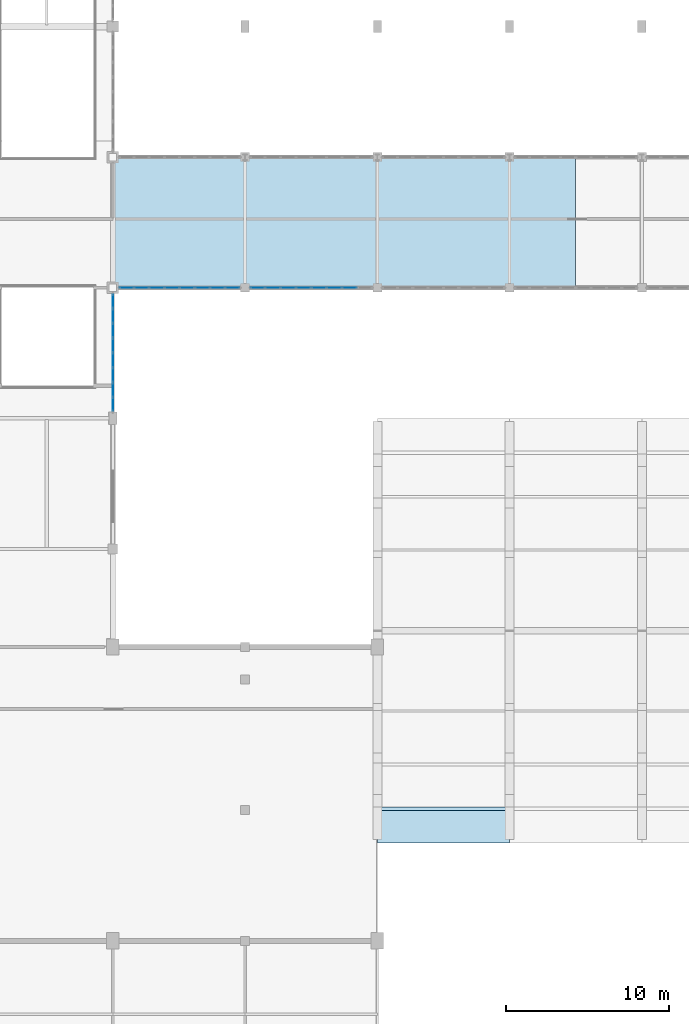
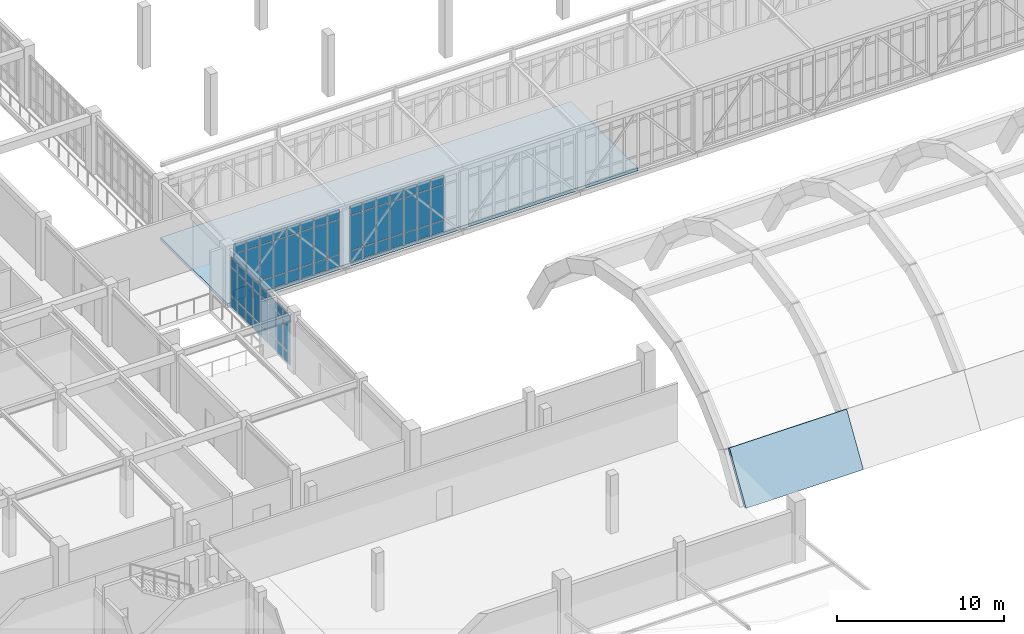
# One storey, part 35 of 67: 69 plates, 2 slabs, 3 elements without a shape of their own.
"""IFC4 building model written with IfcOpenShell, lengths in metres."""

from ifc_helpers import new_model, si_unit, direction, frame, origin, origin_2d, place, context, subcontext, project, spatial, polyline, rectangle, outline, extrude, material, layer, layer_set, type_object, element, aggregate, save


model = new_model("IFC4")

# Units and contexts
model_context = context("Model", 3, precision=1e-05, world=origin(), true_north=direction((0.0, 1.0)))
body_context = subcontext(model_context, "Body", "Model", "MODEL_VIEW")
ifc_project = project(units=[si_unit("LENGTHUNIT", "METRE"), si_unit("AREAUNIT", "SQUARE_METRE"), si_unit("VOLUMEUNIT", "CUBIC_METRE"), si_unit("PLANEANGLEUNIT", "RADIAN"), si_unit("MASSUNIT", "GRAM", prefix="KILO")], contexts=[model_context])

# Site, building, storey
site_placement = place(None, origin())
site = spatial("IfcSite", under=ifc_project, at=site_placement, CompositionType="ELEMENT")
building_placement = place(site_placement, origin())
building = spatial("IfcBuilding", under=site, at=building_placement, Name="Tarnveldt Square Police Headquarters", CompositionType="ELEMENT")
storey_placement = place(building_placement, frame((0.0, 0.0, 10.199951171875)))
storey = spatial("IfcBuildingStorey", under=building, at=storey_placement, Name="L02", CompositionType="ELEMENT", Elevation=10.199951171875)

# Curtain wall, plates
ifc_material_1 = material(Name="Triple-glazed low-e laminated vision glass", Category="glass")
curtain_wall_type_1 = type_object("IfcCurtainWallType", Name="CW-WG-724x377", PredefinedType="USERDEFINED", material=ifc_material_1)
curtain_wall_1_placement = place(storey_placement, origin())
curtain_wall_1 = element("IfcCurtainWall", 1, at=curtain_wall_1_placement, inside=storey, type_object=curtain_wall_type_1, Name="L02 Curtain Wall CW-L02-073", ObjectType="GLAZED CURTAIN WALL", PredefinedType="USERDEFINED")
ifc_layer_1 = layer(ifc_material_1, 0.028076171875)
ifc_layer_set_1 = layer_set([ifc_layer_1], Name="Triple-glazed low-e laminated vision glass")
plate_type = type_object("IfcPlateType", Name="CWP-VIS-28", PredefinedType="CURTAIN_PANEL", material=ifc_layer_set_1)
plate_1_placement = place(storey_placement, frame((48.60009765625, 48.861572265625, 0.074951171875), z_axis=(0.0, 0.0, 1.0), x_axis=(0.0, 1.0, 0.0)))
plate_1 = element("IfcPlate", 2, at=plate_1_placement, type_object=plate_type, Name="CW-WG33 panel 1.1", PredefinedType="CURTAIN_PANEL", context=body_context, shape_type="SweptSolid", body=[
    extrude(rectangle(XDim=0.793212890625, YDim=0.028076171875, at=origin_2d()), origin(), (0.0, 0.0, 1.0), 0.78759765625),
])
plate_2_placement = place(storey_placement, frame((48.60009765625, 48.861572265625, 0.9375), z_axis=(0.0, 0.0, 1.0), x_axis=(0.0, 1.0, 0.0)))
plate_2 = element("IfcPlate", 3, at=plate_2_placement, type_object=plate_type, Name="CW-WG33 panel 1.2", PredefinedType="CURTAIN_PANEL", context=body_context, shape_type="SweptSolid", body=[
    extrude(rectangle(XDim=0.793212890625, YDim=0.028076171875, at=origin_2d()), origin(), (0.0, 0.0, 1.0), 2.0439453125),
])
plate_3_placement = place(storey_placement, frame((48.60009765625, 48.861572265625, 3.056640625), z_axis=(0.0, 0.0, 1.0), x_axis=(0.0, 1.0, 0.0)))
plate_3 = element("IfcPlate", 4, at=plate_3_placement, type_object=plate_type, Name="CW-WG33 panel 1.3", PredefinedType="CURTAIN_PANEL", context=body_context, shape_type="SweptSolid", body=[
    extrude(rectangle(XDim=0.793212890625, YDim=0.028076171875, at=origin_2d()), origin(), (0.0, 0.0, 1.0), 0.637451171875),
])
plate_4_placement = place(storey_placement, frame((48.60009765625, 49.74853515625, 0.074951171875), z_axis=(0.0, 0.0, 1.0), x_axis=(0.0, 1.0, 0.0)))
plate_4 = element("IfcPlate", 5, at=plate_4_placement, type_object=plate_type, Name="CW-WG33 panel 2.1", PredefinedType="CURTAIN_PANEL", context=body_context, shape_type="SweptSolid", body=[
    extrude(rectangle(XDim=0.83056640625, YDim=0.028076171875, at=origin_2d()), origin(), (0.0, 0.0, 1.0), 0.78759765625),
])
plate_5_placement = place(storey_placement, frame((48.60009765625, 49.74853515625, 0.9375), z_axis=(0.0, 0.0, 1.0), x_axis=(0.0, 1.0, 0.0)))
plate_5 = element("IfcPlate", 6, at=plate_5_placement, type_object=plate_type, Name="CW-WG33 panel 2.2", PredefinedType="CURTAIN_PANEL", context=body_context, shape_type="SweptSolid", body=[
    extrude(rectangle(XDim=0.83056640625, YDim=0.028076171875, at=origin_2d()), origin(), (0.0, 0.0, 1.0), 2.0439453125),
])
plate_6_placement = place(storey_placement, frame((48.60009765625, 49.74853515625, 3.056640625), z_axis=(0.0, 0.0, 1.0), x_axis=(0.0, 1.0, 0.0)))
plate_6 = element("IfcPlate", 7, at=plate_6_placement, type_object=plate_type, Name="CW-WG33 panel 2.3", PredefinedType="CURTAIN_PANEL", context=body_context, shape_type="SweptSolid", body=[
    extrude(rectangle(XDim=0.83056640625, YDim=0.028076171875, at=origin_2d()), origin(), (0.0, 0.0, 1.0), 0.637451171875),
])
plate_7_placement = place(storey_placement, frame((48.60009765625, 50.654052734375, 0.074951171875), z_axis=(0.0, 0.0, 1.0), x_axis=(0.0, 1.0, 0.0)))
plate_7 = element("IfcPlate", 8, at=plate_7_placement, type_object=plate_type, Name="CW-WG33 panel 3.1", PredefinedType="CURTAIN_PANEL", context=body_context, shape_type="SweptSolid", body=[
    extrude(rectangle(XDim=0.83056640625, YDim=0.028076171875, at=origin_2d()), origin(), (0.0, 0.0, 1.0), 0.78759765625),
])
plate_8_placement = place(storey_placement, frame((48.60009765625, 50.654052734375, 0.9375), z_axis=(0.0, 0.0, 1.0), x_axis=(0.0, 1.0, 0.0)))
plate_8 = element("IfcPlate", 9, at=plate_8_placement, type_object=plate_type, Name="CW-WG33 panel 3.2", PredefinedType="CURTAIN_PANEL", context=body_context, shape_type="SweptSolid", body=[
    extrude(rectangle(XDim=0.83056640625, YDim=0.028076171875, at=origin_2d()), origin(), (0.0, 0.0, 1.0), 2.0439453125),
])
plate_9_placement = place(storey_placement, frame((48.60009765625, 50.654052734375, 3.056640625), z_axis=(0.0, 0.0, 1.0), x_axis=(0.0, 1.0, 0.0)))
plate_9 = element("IfcPlate", 10, at=plate_9_placement, type_object=plate_type, Name="CW-WG33 panel 3.3", PredefinedType="CURTAIN_PANEL", context=body_context, shape_type="SweptSolid", body=[
    extrude(rectangle(XDim=0.83056640625, YDim=0.028076171875, at=origin_2d()), origin(), (0.0, 0.0, 1.0), 0.637451171875),
])
plate_10_placement = place(storey_placement, frame((48.60009765625, 51.5595703125, 0.074951171875), z_axis=(0.0, 0.0, 1.0), x_axis=(0.0, 1.0, 0.0)))
plate_10 = element("IfcPlate", 11, at=plate_10_placement, type_object=plate_type, Name="CW-WG33 panel 4.1", PredefinedType="CURTAIN_PANEL", context=body_context, shape_type="SweptSolid", body=[
    extrude(rectangle(XDim=0.83056640625, YDim=0.028076171875, at=origin_2d()), origin(), (0.0, 0.0, 1.0), 0.78759765625),
])
plate_11_placement = place(storey_placement, frame((48.60009765625, 51.5595703125, 0.9375), z_axis=(0.0, 0.0, 1.0), x_axis=(0.0, 1.0, 0.0)))
plate_11 = element("IfcPlate", 12, at=plate_11_placement, type_object=plate_type, Name="CW-WG33 panel 4.2", PredefinedType="CURTAIN_PANEL", context=body_context, shape_type="SweptSolid", body=[
    extrude(rectangle(XDim=0.83056640625, YDim=0.028076171875, at=origin_2d()), origin(), (0.0, 0.0, 1.0), 2.0439453125),
])
plate_12_placement = place(storey_placement, frame((48.60009765625, 51.5595703125, 3.056640625), z_axis=(0.0, 0.0, 1.0), x_axis=(0.0, 1.0, 0.0)))
plate_12 = element("IfcPlate", 13, at=plate_12_placement, type_object=plate_type, Name="CW-WG33 panel 4.3", PredefinedType="CURTAIN_PANEL", context=body_context, shape_type="SweptSolid", body=[
    extrude(rectangle(XDim=0.83056640625, YDim=0.028076171875, at=origin_2d()), origin(), (0.0, 0.0, 1.0), 0.637451171875),
])
plate_13_placement = place(storey_placement, frame((48.60009765625, 52.46533203125, 0.074951171875), z_axis=(0.0, 0.0, 1.0), x_axis=(0.0, 1.0, 0.0)))
plate_13 = element("IfcPlate", 14, at=plate_13_placement, type_object=plate_type, Name="CW-WG33 panel 5.1", PredefinedType="CURTAIN_PANEL", context=body_context, shape_type="SweptSolid", body=[
    extrude(rectangle(XDim=0.83056640625, YDim=0.028076171875, at=origin_2d()), origin(), (0.0, 0.0, 1.0), 0.78759765625),
])
plate_14_placement = place(storey_placement, frame((48.60009765625, 52.46533203125, 0.9375), z_axis=(0.0, 0.0, 1.0), x_axis=(0.0, 1.0, 0.0)))
plate_14 = element("IfcPlate", 15, at=plate_14_placement, type_object=plate_type, Name="CW-WG33 panel 5.2", PredefinedType="CURTAIN_PANEL", context=body_context, shape_type="SweptSolid", body=[
    extrude(rectangle(XDim=0.83056640625, YDim=0.028076171875, at=origin_2d()), origin(), (0.0, 0.0, 1.0), 2.0439453125),
])
plate_15_placement = place(storey_placement, frame((48.60009765625, 52.46533203125, 3.056640625), z_axis=(0.0, 0.0, 1.0), x_axis=(0.0, 1.0, 0.0)))
plate_15 = element("IfcPlate", 16, at=plate_15_placement, type_object=plate_type, Name="CW-WG33 panel 5.3", PredefinedType="CURTAIN_PANEL", context=body_context, shape_type="SweptSolid", body=[
    extrude(rectangle(XDim=0.83056640625, YDim=0.028076171875, at=origin_2d()), origin(), (0.0, 0.0, 1.0), 0.637451171875),
])
plate_16_placement = place(storey_placement, frame((48.60009765625, 53.370849609375, 0.074951171875), z_axis=(0.0, 0.0, 1.0), x_axis=(0.0, 1.0, 0.0)))
plate_16 = element("IfcPlate", 17, at=plate_16_placement, type_object=plate_type, Name="CW-WG33 panel 6.1", PredefinedType="CURTAIN_PANEL", context=body_context, shape_type="SweptSolid", body=[
    extrude(rectangle(XDim=0.83056640625, YDim=0.028076171875, at=origin_2d()), origin(), (0.0, 0.0, 1.0), 0.78759765625),
])
plate_17_placement = place(storey_placement, frame((48.60009765625, 53.370849609375, 0.9375), z_axis=(0.0, 0.0, 1.0), x_axis=(0.0, 1.0, 0.0)))
plate_17 = element("IfcPlate", 18, at=plate_17_placement, type_object=plate_type, Name="CW-WG33 panel 6.2", PredefinedType="CURTAIN_PANEL", context=body_context, shape_type="SweptSolid", body=[
    extrude(rectangle(XDim=0.83056640625, YDim=0.028076171875, at=origin_2d()), origin(), (0.0, 0.0, 1.0), 2.0439453125),
])
plate_18_placement = place(storey_placement, frame((48.60009765625, 53.370849609375, 3.056640625), z_axis=(0.0, 0.0, 1.0), x_axis=(0.0, 1.0, 0.0)))
plate_18 = element("IfcPlate", 19, at=plate_18_placement, type_object=plate_type, Name="CW-WG33 panel 6.3", PredefinedType="CURTAIN_PANEL", context=body_context, shape_type="SweptSolid", body=[
    extrude(rectangle(XDim=0.83056640625, YDim=0.028076171875, at=origin_2d()), origin(), (0.0, 0.0, 1.0), 0.637451171875),
])
plate_19_placement = place(storey_placement, frame((48.60009765625, 54.276611328125, 0.074951171875), z_axis=(0.0, 0.0, 1.0), x_axis=(0.0, 1.0, 0.0)))
plate_19 = element("IfcPlate", 20, at=plate_19_placement, type_object=plate_type, Name="CW-WG33 panel 7.1", PredefinedType="CURTAIN_PANEL", context=body_context, shape_type="SweptSolid", body=[
    extrude(rectangle(XDim=0.83056640625, YDim=0.028076171875, at=origin_2d()), origin(), (0.0, 0.0, 1.0), 0.78759765625),
])
plate_20_placement = place(storey_placement, frame((48.60009765625, 54.276611328125, 0.9375), z_axis=(0.0, 0.0, 1.0), x_axis=(0.0, 1.0, 0.0)))
plate_20 = element("IfcPlate", 21, at=plate_20_placement, type_object=plate_type, Name="CW-WG33 panel 7.2", PredefinedType="CURTAIN_PANEL", context=body_context, shape_type="SweptSolid", body=[
    extrude(rectangle(XDim=0.83056640625, YDim=0.028076171875, at=origin_2d()), origin(), (0.0, 0.0, 1.0), 2.0439453125),
])
plate_21_placement = place(storey_placement, frame((48.60009765625, 54.276611328125, 3.056640625), z_axis=(0.0, 0.0, 1.0), x_axis=(0.0, 1.0, 0.0)))
plate_21 = element("IfcPlate", 22, at=plate_21_placement, type_object=plate_type, Name="CW-WG33 panel 7.3", PredefinedType="CURTAIN_PANEL", context=body_context, shape_type="SweptSolid", body=[
    extrude(rectangle(XDim=0.83056640625, YDim=0.028076171875, at=origin_2d()), origin(), (0.0, 0.0, 1.0), 0.637451171875),
])
plate_22_placement = place(storey_placement, frame((48.60009765625, 55.163330078125, 0.074951171875), z_axis=(0.0, 0.0, 1.0), x_axis=(0.0, 1.0, 0.0)))
plate_22 = element("IfcPlate", 23, at=plate_22_placement, type_object=plate_type, Name="CW-WG33 panel 8.1", PredefinedType="CURTAIN_PANEL", context=body_context, shape_type="SweptSolid", body=[
    extrude(rectangle(XDim=0.793212890625, YDim=0.028076171875, at=origin_2d()), origin(), (0.0, 0.0, 1.0), 0.78759765625),
])
plate_23_placement = place(storey_placement, frame((48.60009765625, 55.163330078125, 0.9375), z_axis=(0.0, 0.0, 1.0), x_axis=(0.0, 1.0, 0.0)))
plate_23 = element("IfcPlate", 24, at=plate_23_placement, type_object=plate_type, Name="CW-WG33 panel 8.2", PredefinedType="CURTAIN_PANEL", context=body_context, shape_type="SweptSolid", body=[
    extrude(rectangle(XDim=0.793212890625, YDim=0.028076171875, at=origin_2d()), origin(), (0.0, 0.0, 1.0), 2.0439453125),
])
plate_24_placement = place(storey_placement, frame((48.60009765625, 55.163330078125, 3.056640625), z_axis=(0.0, 0.0, 1.0), x_axis=(0.0, 1.0, 0.0)))
plate_24 = element("IfcPlate", 25, at=plate_24_placement, type_object=plate_type, Name="CW-WG33 panel 8.3", PredefinedType="CURTAIN_PANEL", context=body_context, shape_type="SweptSolid", body=[
    extrude(rectangle(XDim=0.793212890625, YDim=0.028076171875, at=origin_2d()), origin(), (0.0, 0.0, 1.0), 0.637451171875),
])
aggregate(curtain_wall_1, [plate_1, plate_2, plate_3, plate_4, plate_5, plate_6, plate_7, plate_8, plate_9, plate_10, plate_11, plate_12, plate_13, plate_14, plate_15, plate_16, plate_17, plate_18, plate_19, plate_20, plate_21, plate_22, plate_23, plate_24])

curtain_wall_type_2 = type_object("IfcCurtainWallType", Name="CW-SB-744x424", PredefinedType="USERDEFINED", material=ifc_material_1)
curtain_wall_2_placement = place(storey_placement, origin())
curtain_wall_2 = element("IfcCurtainWall", 26, at=curtain_wall_2_placement, inside=storey, type_object=curtain_wall_type_2, Name="L02 Curtain Wall CW-L02-138", ObjectType="GLAZED CURTAIN WALL", PredefinedType="USERDEFINED")
plate_25_placement = place(storey_placement, frame((49.446533203125, 56.0, 0.06494140625), z_axis=(0.0, 0.0, 1.0), x_axis=(1.0, 0.0, 0.0)))
plate_25 = element("IfcPlate", 27, at=plate_25_placement, type_object=plate_type, Name="CW-SB85 panel 1.1", PredefinedType="CURTAIN_PANEL", context=body_context, shape_type="SweptSolid", body=[
    extrude(rectangle(XDim=0.8330078125, YDim=0.028076171875, at=origin_2d()), origin(), (0.0, 0.0, 1.0), 0.802490234375),
])
plate_26_placement = place(storey_placement, frame((49.446533203125, 56.0, 0.9326171875), z_axis=(0.0, 0.0, 1.0), x_axis=(1.0, 0.0, 0.0)))
plate_26 = element("IfcPlate", 28, at=plate_26_placement, type_object=plate_type, Name="CW-SB85 panel 1.2", PredefinedType="CURTAIN_PANEL", context=body_context, shape_type="SweptSolid", body=[
    extrude(rectangle(XDim=0.8330078125, YDim=0.028076171875, at=origin_2d()), origin(), (0.0, 0.0, 1.0), 2.52490234375),
])
plate_27_placement = place(storey_placement, frame((49.446533203125, 56.0, 3.5224609375), z_axis=(0.0, 0.0, 1.0), x_axis=(1.0, 0.0, 0.0)))
plate_27 = element("IfcPlate", 29, at=plate_27_placement, type_object=plate_type, Name="CW-SB85 panel 1.3", PredefinedType="CURTAIN_PANEL", context=body_context, shape_type="SweptSolid", body=[
    extrude(rectangle(XDim=0.8330078125, YDim=0.028076171875, at=origin_2d()), origin(), (0.0, 0.0, 1.0), 0.652587890625),
])
plate_28_placement = place(storey_placement, frame((50.36083984375, 56.0, 0.06494140625), z_axis=(0.0, 0.0, 1.0), x_axis=(1.0, 0.0, 0.0)))
plate_28 = element("IfcPlate", 30, at=plate_28_placement, type_object=plate_type, Name="CW-SB85 panel 2.1", PredefinedType="CURTAIN_PANEL", context=body_context, shape_type="SweptSolid", body=[
    extrude(rectangle(XDim=0.86572265625, YDim=0.028076171875, at=origin_2d()), origin(), (0.0, 0.0, 1.0), 0.802490234375),
])
plate_29_placement = place(storey_placement, frame((50.36083984375, 56.0, 0.9326171875), z_axis=(0.0, 0.0, 1.0), x_axis=(1.0, 0.0, 0.0)))
plate_29 = element("IfcPlate", 31, at=plate_29_placement, type_object=plate_type, Name="CW-SB85 panel 2.2", PredefinedType="CURTAIN_PANEL", context=body_context, shape_type="SweptSolid", body=[
    extrude(rectangle(XDim=0.86572265625, YDim=0.028076171875, at=origin_2d()), origin(), (0.0, 0.0, 1.0), 2.52490234375),
])
plate_30_placement = place(storey_placement, frame((50.36083984375, 56.0, 3.5224609375), z_axis=(0.0, 0.0, 1.0), x_axis=(1.0, 0.0, 0.0)))
plate_30 = element("IfcPlate", 32, at=plate_30_placement, type_object=plate_type, Name="CW-SB85 panel 2.3", PredefinedType="CURTAIN_PANEL", context=body_context, shape_type="SweptSolid", body=[
    extrude(rectangle(XDim=0.86572265625, YDim=0.028076171875, at=origin_2d()), origin(), (0.0, 0.0, 1.0), 0.652587890625),
])
plate_31_placement = place(storey_placement, frame((51.29150390625, 56.0, 0.06494140625), z_axis=(0.0, 0.0, 1.0), x_axis=(1.0, 0.0, 0.0)))
plate_31 = element("IfcPlate", 33, at=plate_31_placement, type_object=plate_type, Name="CW-SB85 panel 3.1", PredefinedType="CURTAIN_PANEL", context=body_context, shape_type="SweptSolid", body=[
    extrude(rectangle(XDim=0.86572265625, YDim=0.028076171875, at=origin_2d()), origin(), (0.0, 0.0, 1.0), 0.802490234375),
])
plate_32_placement = place(storey_placement, frame((51.29150390625, 56.0, 0.9326171875), z_axis=(0.0, 0.0, 1.0), x_axis=(1.0, 0.0, 0.0)))
plate_32 = element("IfcPlate", 34, at=plate_32_placement, type_object=plate_type, Name="CW-SB85 panel 3.2", PredefinedType="CURTAIN_PANEL", context=body_context, shape_type="SweptSolid", body=[
    extrude(rectangle(XDim=0.86572265625, YDim=0.028076171875, at=origin_2d()), origin(), (0.0, 0.0, 1.0), 2.52490234375),
])
plate_33_placement = place(storey_placement, frame((51.29150390625, 56.0, 3.5224609375), z_axis=(0.0, 0.0, 1.0), x_axis=(1.0, 0.0, 0.0)))
plate_33 = element("IfcPlate", 35, at=plate_33_placement, type_object=plate_type, Name="CW-SB85 panel 3.3", PredefinedType="CURTAIN_PANEL", context=body_context, shape_type="SweptSolid", body=[
    extrude(rectangle(XDim=0.86572265625, YDim=0.028076171875, at=origin_2d()), origin(), (0.0, 0.0, 1.0), 0.652587890625),
])
plate_34_placement = place(storey_placement, frame((52.22216796875, 56.0, 0.06494140625), z_axis=(0.0, 0.0, 1.0), x_axis=(1.0, 0.0, 0.0)))
plate_34 = element("IfcPlate", 36, at=plate_34_placement, type_object=plate_type, Name="CW-SB85 panel 4.1", PredefinedType="CURTAIN_PANEL", context=body_context, shape_type="SweptSolid", body=[
    extrude(rectangle(XDim=0.86572265625, YDim=0.028076171875, at=origin_2d()), origin(), (0.0, 0.0, 1.0), 0.802490234375),
])
plate_35_placement = place(storey_placement, frame((52.22216796875, 56.0, 0.9326171875), z_axis=(0.0, 0.0, 1.0), x_axis=(1.0, 0.0, 0.0)))
plate_35 = element("IfcPlate", 37, at=plate_35_placement, type_object=plate_type, Name="CW-SB85 panel 4.2", PredefinedType="CURTAIN_PANEL", context=body_context, shape_type="SweptSolid", body=[
    extrude(rectangle(XDim=0.86572265625, YDim=0.028076171875, at=origin_2d()), origin(), (0.0, 0.0, 1.0), 2.52490234375),
])
plate_36_placement = place(storey_placement, frame((52.22216796875, 56.0, 3.5224609375), z_axis=(0.0, 0.0, 1.0), x_axis=(1.0, 0.0, 0.0)))
plate_36 = element("IfcPlate", 38, at=plate_36_placement, type_object=plate_type, Name="CW-SB85 panel 4.3", PredefinedType="CURTAIN_PANEL", context=body_context, shape_type="SweptSolid", body=[
    extrude(rectangle(XDim=0.86572265625, YDim=0.028076171875, at=origin_2d()), origin(), (0.0, 0.0, 1.0), 0.652587890625),
])
plate_37_placement = place(storey_placement, frame((53.15283203125, 56.0, 0.06494140625), z_axis=(0.0, 0.0, 1.0), x_axis=(1.0, 0.0, 0.0)))
plate_37 = element("IfcPlate", 39, at=plate_37_placement, type_object=plate_type, Name="CW-SB85 panel 5.1", PredefinedType="CURTAIN_PANEL", context=body_context, shape_type="SweptSolid", body=[
    extrude(rectangle(XDim=0.86572265625, YDim=0.028076171875, at=origin_2d()), origin(), (0.0, 0.0, 1.0), 0.802490234375),
])
plate_38_placement = place(storey_placement, frame((53.15283203125, 56.0, 0.9326171875), z_axis=(0.0, 0.0, 1.0), x_axis=(1.0, 0.0, 0.0)))
plate_38 = element("IfcPlate", 40, at=plate_38_placement, type_object=plate_type, Name="CW-SB85 panel 5.2", PredefinedType="CURTAIN_PANEL", context=body_context, shape_type="SweptSolid", body=[
    extrude(rectangle(XDim=0.86572265625, YDim=0.028076171875, at=origin_2d()), origin(), (0.0, 0.0, 1.0), 2.52490234375),
])
plate_39_placement = place(storey_placement, frame((53.15283203125, 56.0, 3.5224609375), z_axis=(0.0, 0.0, 1.0), x_axis=(1.0, 0.0, 0.0)))
plate_39 = element("IfcPlate", 41, at=plate_39_placement, type_object=plate_type, Name="CW-SB85 panel 5.3", PredefinedType="CURTAIN_PANEL", context=body_context, shape_type="SweptSolid", body=[
    extrude(rectangle(XDim=0.86572265625, YDim=0.028076171875, at=origin_2d()), origin(), (0.0, 0.0, 1.0), 0.652587890625),
])
plate_40_placement = place(storey_placement, frame((54.08349609375, 56.0, 0.06494140625), z_axis=(0.0, 0.0, 1.0), x_axis=(1.0, 0.0, 0.0)))
plate_40 = element("IfcPlate", 42, at=plate_40_placement, type_object=plate_type, Name="CW-SB85 panel 6.1", PredefinedType="CURTAIN_PANEL", context=body_context, shape_type="SweptSolid", body=[
    extrude(rectangle(XDim=0.86572265625, YDim=0.028076171875, at=origin_2d()), origin(), (0.0, 0.0, 1.0), 0.802490234375),
])
plate_41_placement = place(storey_placement, frame((54.08349609375, 56.0, 0.9326171875), z_axis=(0.0, 0.0, 1.0), x_axis=(1.0, 0.0, 0.0)))
plate_41 = element("IfcPlate", 43, at=plate_41_placement, type_object=plate_type, Name="CW-SB85 panel 6.2", PredefinedType="CURTAIN_PANEL", context=body_context, shape_type="SweptSolid", body=[
    extrude(rectangle(XDim=0.86572265625, YDim=0.028076171875, at=origin_2d()), origin(), (0.0, 0.0, 1.0), 2.52490234375),
])
plate_42_placement = place(storey_placement, frame((54.08349609375, 56.0, 3.5224609375), z_axis=(0.0, 0.0, 1.0), x_axis=(1.0, 0.0, 0.0)))
plate_42 = element("IfcPlate", 44, at=plate_42_placement, type_object=plate_type, Name="CW-SB85 panel 6.3", PredefinedType="CURTAIN_PANEL", context=body_context, shape_type="SweptSolid", body=[
    extrude(rectangle(XDim=0.86572265625, YDim=0.028076171875, at=origin_2d()), origin(), (0.0, 0.0, 1.0), 0.652587890625),
])
plate_43_placement = place(storey_placement, frame((55.01416015625, 56.0, 0.06494140625), z_axis=(0.0, 0.0, 1.0), x_axis=(1.0, 0.0, 0.0)))
plate_43 = element("IfcPlate", 45, at=plate_43_placement, type_object=plate_type, Name="CW-SB85 panel 7.1", PredefinedType="CURTAIN_PANEL", context=body_context, shape_type="SweptSolid", body=[
    extrude(rectangle(XDim=0.86572265625, YDim=0.028076171875, at=origin_2d()), origin(), (0.0, 0.0, 1.0), 0.802490234375),
])
plate_44_placement = place(storey_placement, frame((55.01416015625, 56.0, 0.9326171875), z_axis=(0.0, 0.0, 1.0), x_axis=(1.0, 0.0, 0.0)))
plate_44 = element("IfcPlate", 46, at=plate_44_placement, type_object=plate_type, Name="CW-SB85 panel 7.2", PredefinedType="CURTAIN_PANEL", context=body_context, shape_type="SweptSolid", body=[
    extrude(rectangle(XDim=0.86572265625, YDim=0.028076171875, at=origin_2d()), origin(), (0.0, 0.0, 1.0), 2.52490234375),
])
plate_45_placement = place(storey_placement, frame((55.01416015625, 56.0, 3.5224609375), z_axis=(0.0, 0.0, 1.0), x_axis=(1.0, 0.0, 0.0)))
plate_45 = element("IfcPlate", 47, at=plate_45_placement, type_object=plate_type, Name="CW-SB85 panel 7.3", PredefinedType="CURTAIN_PANEL", context=body_context, shape_type="SweptSolid", body=[
    extrude(rectangle(XDim=0.86572265625, YDim=0.028076171875, at=origin_2d()), origin(), (0.0, 0.0, 1.0), 0.652587890625),
])
plate_46_placement = place(storey_placement, frame((55.928466796875, 56.0, 0.06494140625), z_axis=(0.0, 0.0, 1.0), x_axis=(1.0, 0.0, 0.0)))
plate_46 = element("IfcPlate", 48, at=plate_46_placement, type_object=plate_type, Name="CW-SB85 panel 8.1", PredefinedType="CURTAIN_PANEL", context=body_context, shape_type="SweptSolid", body=[
    extrude(rectangle(XDim=0.8330078125, YDim=0.028076171875, at=origin_2d()), origin(), (0.0, 0.0, 1.0), 0.802490234375),
])
plate_47_placement = place(storey_placement, frame((55.928466796875, 56.0, 0.9326171875), z_axis=(0.0, 0.0, 1.0), x_axis=(1.0, 0.0, 0.0)))
plate_47 = element("IfcPlate", 49, at=plate_47_placement, type_object=plate_type, Name="CW-SB85 panel 8.2", PredefinedType="CURTAIN_PANEL", context=body_context, shape_type="SweptSolid", body=[
    extrude(rectangle(XDim=0.8330078125, YDim=0.028076171875, at=origin_2d()), origin(), (0.0, 0.0, 1.0), 2.52490234375),
])
plate_48_placement = place(storey_placement, frame((55.928466796875, 56.0, 3.5224609375), z_axis=(0.0, 0.0, 1.0), x_axis=(1.0, 0.0, 0.0)))
plate_48 = element("IfcPlate", 50, at=plate_48_placement, type_object=plate_type, Name="CW-SB85 panel 8.3", PredefinedType="CURTAIN_PANEL", context=body_context, shape_type="SweptSolid", body=[
    extrude(rectangle(XDim=0.8330078125, YDim=0.028076171875, at=origin_2d()), origin(), (0.0, 0.0, 1.0), 0.652587890625),
])
aggregate(curtain_wall_2, [plate_25, plate_26, plate_27, plate_28, plate_29, plate_30, plate_31, plate_32, plate_33, plate_34, plate_35, plate_36, plate_37, plate_38, plate_39, plate_40, plate_41, plate_42, plate_43, plate_44, plate_45, plate_46, plate_47, plate_48])

curtain_wall_type_3 = type_object("IfcCurtainWallType", Name="CW-SB-752x424", PredefinedType="USERDEFINED", material=ifc_material_1)
curtain_wall_3_placement = place(storey_placement, origin())
curtain_wall_3 = element("IfcCurtainWall", 51, at=curtain_wall_3_placement, inside=storey, type_object=curtain_wall_type_3, Name="L02 Curtain Wall CW-L02-139", ObjectType="GLAZED CURTAIN WALL", PredefinedType="USERDEFINED")
plate_49_placement = place(storey_placement, frame((57.476318359375, 56.0, 0.06494140625), z_axis=(0.0, 0.0, 1.0), x_axis=(1.0, 0.0, 0.0)))
plate_49 = element("IfcPlate", 52, at=plate_49_placement, type_object=plate_type, Name="CW-SB86 panel 1.1", PredefinedType="CURTAIN_PANEL", context=body_context, shape_type="SweptSolid", body=[
    extrude(rectangle(XDim=0.842529296875, YDim=0.028076171875, at=origin_2d()), origin(), (0.0, 0.0, 1.0), 0.802490234375),
])
plate_50_placement = place(storey_placement, frame((57.476318359375, 56.0, 0.9326171875), z_axis=(0.0, 0.0, 1.0), x_axis=(1.0, 0.0, 0.0)))
plate_50 = element("IfcPlate", 53, at=plate_50_placement, type_object=plate_type, Name="CW-SB86 panel 1.2", PredefinedType="CURTAIN_PANEL", context=body_context, shape_type="SweptSolid", body=[
    extrude(rectangle(XDim=0.842529296875, YDim=0.028076171875, at=origin_2d()), origin(), (0.0, 0.0, 1.0), 2.52490234375),
])
plate_51_placement = place(storey_placement, frame((57.476318359375, 56.0, 3.5224609375), z_axis=(0.0, 0.0, 1.0), x_axis=(1.0, 0.0, 0.0)))
plate_51 = element("IfcPlate", 54, at=plate_51_placement, type_object=plate_type, Name="CW-SB86 panel 1.3", PredefinedType="CURTAIN_PANEL", context=body_context, shape_type="SweptSolid", body=[
    extrude(rectangle(XDim=0.842529296875, YDim=0.028076171875, at=origin_2d()), origin(), (0.0, 0.0, 1.0), 0.652587890625),
])
plate_52_placement = place(storey_placement, frame((58.39990234375, 56.0, 0.06494140625), z_axis=(0.0, 0.0, 1.0), x_axis=(1.0, 0.0, 0.0)))
plate_52 = element("IfcPlate", 55, at=plate_52_placement, type_object=plate_type, Name="CW-SB86 panel 2.1", PredefinedType="CURTAIN_PANEL", context=body_context, shape_type="SweptSolid", body=[
    extrude(rectangle(XDim=0.875, YDim=0.028076171875, at=origin_2d()), origin(), (0.0, 0.0, 1.0), 0.802490234375),
])
plate_53_placement = place(storey_placement, frame((58.39990234375, 56.0, 0.9326171875), z_axis=(0.0, 0.0, 1.0), x_axis=(1.0, 0.0, 0.0)))
plate_53 = element("IfcPlate", 56, at=plate_53_placement, type_object=plate_type, Name="CW-SB86 panel 2.2", PredefinedType="CURTAIN_PANEL", context=body_context, shape_type="SweptSolid", body=[
    extrude(rectangle(XDim=0.875, YDim=0.028076171875, at=origin_2d()), origin(), (0.0, 0.0, 1.0), 2.52490234375),
])
plate_54_placement = place(storey_placement, frame((58.39990234375, 56.0, 3.5224609375), z_axis=(0.0, 0.0, 1.0), x_axis=(1.0, 0.0, 0.0)))
plate_54 = element("IfcPlate", 57, at=plate_54_placement, type_object=plate_type, Name="CW-SB86 panel 2.3", PredefinedType="CURTAIN_PANEL", context=body_context, shape_type="SweptSolid", body=[
    extrude(rectangle(XDim=0.875, YDim=0.028076171875, at=origin_2d()), origin(), (0.0, 0.0, 1.0), 0.652587890625),
])
plate_55_placement = place(storey_placement, frame((59.340087890625, 56.0, 0.06494140625), z_axis=(0.0, 0.0, 1.0), x_axis=(1.0, 0.0, 0.0)))
plate_55 = element("IfcPlate", 58, at=plate_55_placement, type_object=plate_type, Name="CW-SB86 panel 3.1", PredefinedType="CURTAIN_PANEL", context=body_context, shape_type="SweptSolid", body=[
    extrude(rectangle(XDim=0.875, YDim=0.028076171875, at=origin_2d()), origin(), (0.0, 0.0, 1.0), 0.802490234375),
])
plate_56_placement = place(storey_placement, frame((59.340087890625, 56.0, 0.9326171875), z_axis=(0.0, 0.0, 1.0), x_axis=(1.0, 0.0, 0.0)))
plate_56 = element("IfcPlate", 59, at=plate_56_placement, type_object=plate_type, Name="CW-SB86 panel 3.2", PredefinedType="CURTAIN_PANEL", context=body_context, shape_type="SweptSolid", body=[
    extrude(rectangle(XDim=0.875, YDim=0.028076171875, at=origin_2d()), origin(), (0.0, 0.0, 1.0), 2.52490234375),
])
plate_57_placement = place(storey_placement, frame((59.340087890625, 56.0, 3.5224609375), z_axis=(0.0, 0.0, 1.0), x_axis=(1.0, 0.0, 0.0)))
plate_57 = element("IfcPlate", 60, at=plate_57_placement, type_object=plate_type, Name="CW-SB86 panel 3.3", PredefinedType="CURTAIN_PANEL", context=body_context, shape_type="SweptSolid", body=[
    extrude(rectangle(XDim=0.875, YDim=0.028076171875, at=origin_2d()), origin(), (0.0, 0.0, 1.0), 0.652587890625),
])
plate_58_placement = place(storey_placement, frame((60.280029296875, 56.0, 0.06494140625), z_axis=(0.0, 0.0, 1.0), x_axis=(1.0, 0.0, 0.0)))
plate_58 = element("IfcPlate", 61, at=plate_58_placement, type_object=plate_type, Name="CW-SB86 panel 4.1", PredefinedType="CURTAIN_PANEL", context=body_context, shape_type="SweptSolid", body=[
    extrude(rectangle(XDim=0.875, YDim=0.028076171875, at=origin_2d()), origin(), (0.0, 0.0, 1.0), 0.802490234375),
])
plate_59_placement = place(storey_placement, frame((60.280029296875, 56.0, 0.9326171875), z_axis=(0.0, 0.0, 1.0), x_axis=(1.0, 0.0, 0.0)))
plate_59 = element("IfcPlate", 62, at=plate_59_placement, type_object=plate_type, Name="CW-SB86 panel 4.2", PredefinedType="CURTAIN_PANEL", context=body_context, shape_type="SweptSolid", body=[
    extrude(rectangle(XDim=0.875, YDim=0.028076171875, at=origin_2d()), origin(), (0.0, 0.0, 1.0), 2.52490234375),
])
plate_60_placement = place(storey_placement, frame((60.280029296875, 56.0, 3.5224609375), z_axis=(0.0, 0.0, 1.0), x_axis=(1.0, 0.0, 0.0)))
plate_60 = element("IfcPlate", 63, at=plate_60_placement, type_object=plate_type, Name="CW-SB86 panel 4.3", PredefinedType="CURTAIN_PANEL", context=body_context, shape_type="SweptSolid", body=[
    extrude(rectangle(XDim=0.875, YDim=0.028076171875, at=origin_2d()), origin(), (0.0, 0.0, 1.0), 0.652587890625),
])
plate_61_placement = place(storey_placement, frame((61.219970703125, 56.0, 0.06494140625), z_axis=(0.0, 0.0, 1.0), x_axis=(1.0, 0.0, 0.0)))
plate_61 = element("IfcPlate", 64, at=plate_61_placement, type_object=plate_type, Name="CW-SB86 panel 5.1", PredefinedType="CURTAIN_PANEL", context=body_context, shape_type="SweptSolid", body=[
    extrude(rectangle(XDim=0.875, YDim=0.028076171875, at=origin_2d()), origin(), (0.0, 0.0, 1.0), 0.802490234375),
])
plate_62_placement = place(storey_placement, frame((61.219970703125, 56.0, 0.9326171875), z_axis=(0.0, 0.0, 1.0), x_axis=(1.0, 0.0, 0.0)))
plate_62 = element("IfcPlate", 65, at=plate_62_placement, type_object=plate_type, Name="CW-SB86 panel 5.2", PredefinedType="CURTAIN_PANEL", context=body_context, shape_type="SweptSolid", body=[
    extrude(rectangle(XDim=0.875, YDim=0.028076171875, at=origin_2d()), origin(), (0.0, 0.0, 1.0), 2.52490234375),
])
plate_63_placement = place(storey_placement, frame((61.219970703125, 56.0, 3.5224609375), z_axis=(0.0, 0.0, 1.0), x_axis=(1.0, 0.0, 0.0)))
plate_63 = element("IfcPlate", 66, at=plate_63_placement, type_object=plate_type, Name="CW-SB86 panel 5.3", PredefinedType="CURTAIN_PANEL", context=body_context, shape_type="SweptSolid", body=[
    extrude(rectangle(XDim=0.875, YDim=0.028076171875, at=origin_2d()), origin(), (0.0, 0.0, 1.0), 0.652587890625),
])
plate_64_placement = place(storey_placement, frame((62.159912109375, 56.0, 0.06494140625), z_axis=(0.0, 0.0, 1.0), x_axis=(1.0, 0.0, 0.0)))
plate_64 = element("IfcPlate", 67, at=plate_64_placement, type_object=plate_type, Name="CW-SB86 panel 6.1", PredefinedType="CURTAIN_PANEL", context=body_context, shape_type="SweptSolid", body=[
    extrude(rectangle(XDim=0.875, YDim=0.028076171875, at=origin_2d()), origin(), (0.0, 0.0, 1.0), 0.802490234375),
])
plate_65_placement = place(storey_placement, frame((62.159912109375, 56.0, 0.9326171875), z_axis=(0.0, 0.0, 1.0), x_axis=(1.0, 0.0, 0.0)))
plate_65 = element("IfcPlate", 68, at=plate_65_placement, type_object=plate_type, Name="CW-SB86 panel 6.2", PredefinedType="CURTAIN_PANEL", context=body_context, shape_type="SweptSolid", body=[
    extrude(rectangle(XDim=0.875, YDim=0.028076171875, at=origin_2d()), origin(), (0.0, 0.0, 1.0), 2.52490234375),
])
plate_66_placement = place(storey_placement, frame((62.159912109375, 56.0, 3.5224609375), z_axis=(0.0, 0.0, 1.0), x_axis=(1.0, 0.0, 0.0)))
plate_66 = element("IfcPlate", 69, at=plate_66_placement, type_object=plate_type, Name="CW-SB86 panel 6.3", PredefinedType="CURTAIN_PANEL", context=body_context, shape_type="SweptSolid", body=[
    extrude(rectangle(XDim=0.875, YDim=0.028076171875, at=origin_2d()), origin(), (0.0, 0.0, 1.0), 0.652587890625),
])
plate_67_placement = place(storey_placement, frame((63.10009765625, 56.0, 0.06494140625), z_axis=(0.0, 0.0, 1.0), x_axis=(1.0, 0.0, 0.0)))
plate_67 = element("IfcPlate", 70, at=plate_67_placement, type_object=plate_type, Name="CW-SB86 panel 7.1", PredefinedType="CURTAIN_PANEL", context=body_context, shape_type="SweptSolid", body=[
    extrude(rectangle(XDim=0.875, YDim=0.028076171875, at=origin_2d()), origin(), (0.0, 0.0, 1.0), 0.802490234375),
])
plate_68_placement = place(storey_placement, frame((63.10009765625, 56.0, 0.9326171875), z_axis=(0.0, 0.0, 1.0), x_axis=(1.0, 0.0, 0.0)))
plate_68 = element("IfcPlate", 71, at=plate_68_placement, type_object=plate_type, Name="CW-SB86 panel 7.2", PredefinedType="CURTAIN_PANEL", context=body_context, shape_type="SweptSolid", body=[
    extrude(rectangle(XDim=0.875, YDim=0.028076171875, at=origin_2d()), origin(), (0.0, 0.0, 1.0), 2.52490234375),
])
plate_69_placement = place(storey_placement, frame((63.10009765625, 56.0, 3.5224609375), z_axis=(0.0, 0.0, 1.0), x_axis=(1.0, 0.0, 0.0)))
plate_69 = element("IfcPlate", 72, at=plate_69_placement, type_object=plate_type, Name="CW-SB86 panel 7.3", PredefinedType="CURTAIN_PANEL", context=body_context, shape_type="SweptSolid", body=[
    extrude(rectangle(XDim=0.875, YDim=0.028076171875, at=origin_2d()), origin(), (0.0, 0.0, 1.0), 0.652587890625),
])
aggregate(curtain_wall_3, [plate_49, plate_50, plate_51, plate_52, plate_53, plate_54, plate_55, plate_56, plate_57, plate_58, plate_59, plate_60, plate_61, plate_62, plate_63, plate_64, plate_65, plate_66, plate_67, plate_68, plate_69])

# Slabs
ifc_material_2 = material(Name="Concrete 40 MPa", Category="concrete")
ifc_layer_2 = layer(ifc_material_2, 0.219970703125)
ifc_layer_set_2 = layer_set([ifc_layer_2], Name="Concrete 40 MPa")
slab_type_1 = type_object("IfcSlabType", Name="SL-SKY-220", PredefinedType="FLOOR", material=ifc_layer_set_2)
slab_1_placement = place(storey_placement, frame((0.0, 0.0, -0.219970703125)))
element("IfcSlab", 73, at=slab_1_placement, inside=storey, type_object=slab_type_1, Name="L02 Structural Floor Slab L02-SBS-1", PredefinedType="FLOOR", context=body_context, shape_type="SweptSolid", body=[
    extrude(outline(polyline([(48.60009765625, 64.0), (76.949951171875, 64.0), (76.949951171875, 56.0), (48.60009765625, 56.0), (48.60009765625, 64.0)])), origin(), (0.0, 0.0, 1.0), 0.219970703125),
])
ifc_layer_3 = layer(ifc_material_2, 0.25)
ifc_layer_set_3 = layer_set([ifc_layer_3], Name="Concrete 40 MPa")
slab_type_2 = type_object("IfcSlabType", Name="SL-VAULT-250", PredefinedType="ROOF", material=ifc_layer_set_3)
slab_2_placement = place(storey_placement, frame((64.800048828125, 22.0, 0.0), z_axis=(0.0, -0.849138976196, 0.528169479529), x_axis=(1.0, 0.0, 0.0)))
element("IfcSlab", 74, at=slab_2_placement, inside=storey, type_object=slab_type_2, Name="Public Entrance Hall Barrel Vault Roof Shell B1.F1", PredefinedType="ROOF", context=body_context, shape_type="SweptSolid", body=[
    extrude(outline(polyline([(0.0, 0.0), (8.099853515625, 0.0), (8.099853515625, 3.781116459592797), (0.0, 3.781116459592797), (0.0, 0.0)])), origin(), (0.0, 0.0, -1.0), 0.25),
])

save(model, "model.ifc")
